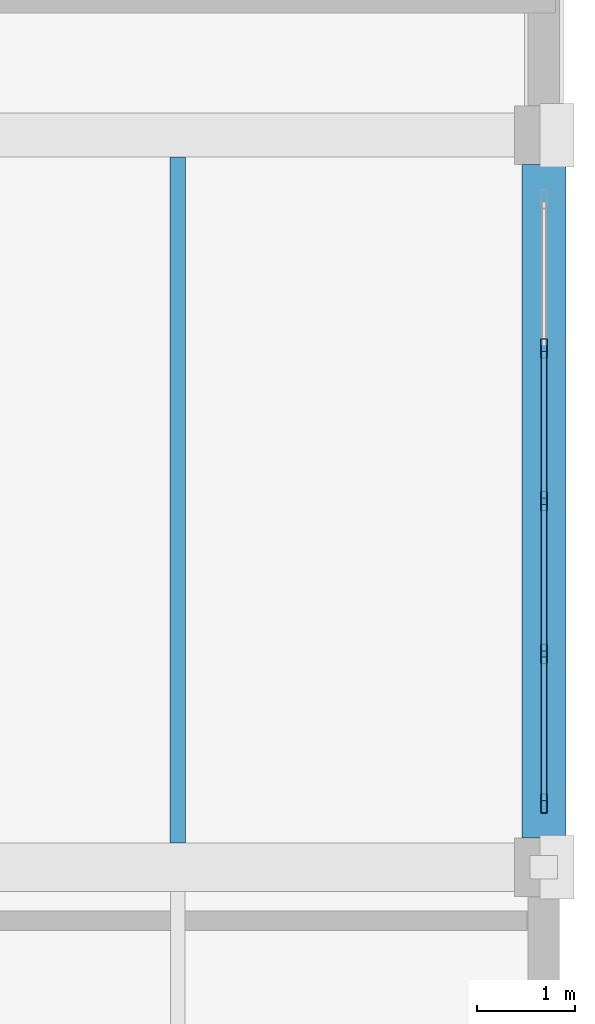
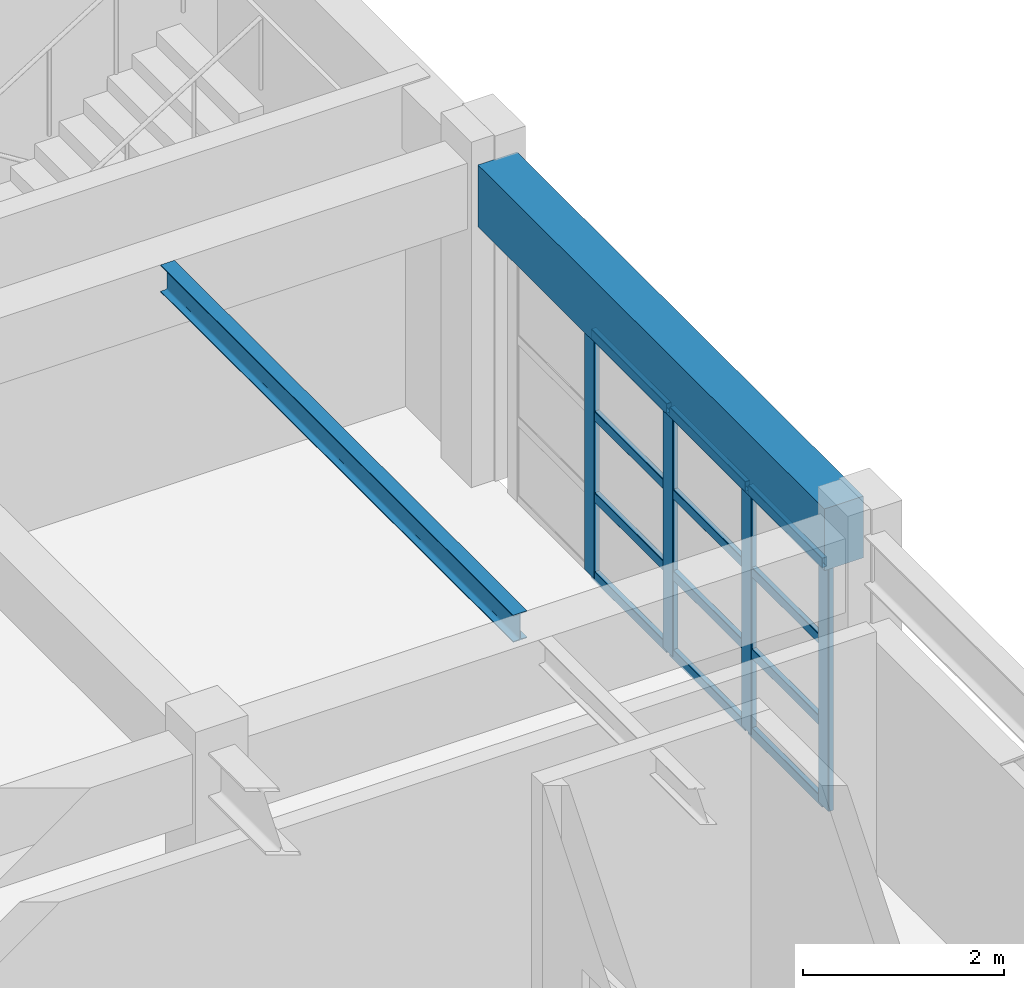
# One storey, part 71 of 124: 16 members, 2 beams, 1 element without a shape of its own.
"""IFC4 building model written with IfcOpenShell, lengths in metres."""

from ifc_helpers import new_model, si_unit, direction, frame, origin, origin_2d, place, context, subcontext, project, spatial, rectangle, hollow_rectangle, i_section, extrude, material, material_profile, profile_set, type_object, element, aggregate, save


model = new_model("IFC4")

# Units and contexts
model_context = context("Model", 3, precision=1e-05, world=origin(), true_north=direction((0.0, 1.0)))
body_context = subcontext(model_context, "Body", "Model", "MODEL_VIEW")
ifc_project = project(units=[si_unit("LENGTHUNIT", "METRE"), si_unit("AREAUNIT", "SQUARE_METRE"), si_unit("VOLUMEUNIT", "CUBIC_METRE"), si_unit("PLANEANGLEUNIT", "RADIAN"), si_unit("MASSUNIT", "GRAM", prefix="KILO")], contexts=[model_context])

# Site, building, storey
site_placement = place(None, origin())
site = spatial("IfcSite", under=ifc_project, at=site_placement, CompositionType="ELEMENT")
building_placement = place(site_placement, origin())
building = spatial("IfcBuilding", under=site, at=building_placement, Name="Qasida Concert Hall", CompositionType="ELEMENT")
storey_placement = place(building_placement, frame((0.0, 0.0, 9.0)))
storey = spatial("IfcBuildingStorey", under=building, at=storey_placement, Name="L02", CompositionType="ELEMENT", Elevation=9.0)

# Beams
ifc_material_1 = material(Name="Steel S355J2", Category="steel")
ifc_material_profile_1 = material_profile(ifc_material_1, i_section(OverallWidth=0.159912109375, OverallDepth=0.330078125, WebThickness=0.007568359375, FlangeThickness=0.011474609375, FilletRadius=0.01806640625, at=origin_2d()), Name="IPE 330")
ifc_profile_set_1 = profile_set([ifc_material_profile_1], Name="Steel S355J2")
beam_type_1 = type_object("IfcBeamType", Name="BM-J5", PredefinedType="JOIST", material=ifc_profile_set_1)
beam_1_placement = place(storey_placement, frame((161.25, 90.25, 3.735107421875), z_axis=(0.0, 1.0, 0.0), x_axis=(-1.0, 0.0, 0.0)))
element("IfcBeam", 1, at=beam_1_placement, inside=storey, type_object=beam_type_1, Name="L02 secondary joist 1436", PredefinedType="JOIST", context=body_context, shape_type="SweptSolid", body=[
    extrude(i_section(OverallWidth=0.159912109375, OverallDepth=0.330078125, WebThickness=0.007568359375, FlangeThickness=0.011474609375, FilletRadius=0.01806640625, at=origin_2d()), origin(), (0.0, 0.0, 1.0), 7.02490234375),
])
ifc_material_2 = material(Name="Concrete C40/50", Category="concrete")
ifc_material_profile_2 = material_profile(ifc_material_2, rectangle(XDim=0.449951171875, YDim=0.75, at=origin_2d()), Name="RC 450x750")
ifc_profile_set_2 = profile_set([ifc_material_profile_2], Name="Concrete C40/50")
beam_type_2 = type_object("IfcBeamType", Name="BM-SP4", PredefinedType="SPANDREL", material=ifc_profile_set_2)
beam_2_placement = place(storey_placement, frame((165.0, 90.300048828125, 3.52490234375), z_axis=(0.0, 1.0, 0.0), x_axis=(-1.0, 0.0, 0.0)))
element("IfcBeam", 2, at=beam_2_placement, inside=storey, type_object=beam_type_2, Name="L02 girder 1413", PredefinedType="SPANDREL", context=body_context, shape_type="SweptSolid", body=[
    extrude(rectangle(XDim=0.449951171875, YDim=0.75, at=origin_2d()), origin(), (0.0, 0.0, 1.0), 6.89990234375),
])

# Curtain wall, members
ifc_material_3 = material(Name="Architectural bronze-anodized aluminium and low-E glass", Category="aluminium")
curtain_wall_type = type_object("IfcCurtainWallType", Name="CW-11", PredefinedType="NOTDEFINED", material=ifc_material_3)
curtain_wall_placement = place(storey_placement, origin())
curtain_wall = element("IfcCurtainWall", 3, at=curtain_wall_placement, inside=storey, type_object=curtain_wall_type, Name="L02 curtain wall CW-11 0175", PredefinedType="NOTDEFINED")
ifc_material_4 = material(Name="Architectural bronze-anodized aluminium EN AW-6063", Category="aluminium")
ifc_material_profile_3 = material_profile(ifc_material_4, hollow_rectangle(XDim=0.06494140625, YDim=0.199951171875, WallThickness=0.0048828125, InnerFilletRadius=0.0048828125, OuterFilletRadius=0.010009765625, at=origin_2d()), Name="CWM 200x65x5")
ifc_profile_set_3 = profile_set([ifc_material_profile_3], Name="Architectural bronze-anodized aluminium EN AW-6063")
member_type_1 = type_object("IfcMemberType", Name="MB-CWM-2", PredefinedType="MULLION", material=ifc_profile_set_3)
member_1_placement = place(storey_placement, frame((165.0, 90.652587890625, 0.0), z_axis=(0.0, 0.0, 1.0), x_axis=(-1.0, 0.0, 0.0)))
member_1 = element("IfcMember", 4, at=member_1_placement, type_object=member_type_1, Name="CW-11 mullion 1", PredefinedType="MULLION", context=body_context, shape_type="SweptSolid", body=[
    extrude(hollow_rectangle(XDim=0.06494140625, YDim=0.199951171875, WallThickness=0.0048828125, InnerFilletRadius=0.0048828125, OuterFilletRadius=0.010009765625, at=origin_2d()), origin(), (0.0, 0.0, 1.0), 2.969970703125),
])
member_2_placement = place(storey_placement, frame((165.0, 92.18505859375, 0.0), z_axis=(0.0, 0.0, 1.0), x_axis=(-1.0, 0.0, 0.0)))
member_2 = element("IfcMember", 5, at=member_2_placement, type_object=member_type_1, Name="CW-11 mullion 2", PredefinedType="MULLION", context=body_context, shape_type="SweptSolid", body=[
    extrude(hollow_rectangle(XDim=0.06494140625, YDim=0.199951171875, WallThickness=0.0048828125, InnerFilletRadius=0.0048828125, OuterFilletRadius=0.010009765625, at=origin_2d()), origin(), (0.0, 0.0, 1.0), 2.969970703125),
])
member_3_placement = place(storey_placement, frame((165.0, 93.75, 0.0), z_axis=(0.0, 0.0, 1.0), x_axis=(-1.0, 0.0, 0.0)))
member_3 = element("IfcMember", 6, at=member_3_placement, type_object=member_type_1, Name="CW-11 mullion 3", PredefinedType="MULLION", context=body_context, shape_type="SweptSolid", body=[
    extrude(hollow_rectangle(XDim=0.06494140625, YDim=0.199951171875, WallThickness=0.0048828125, InnerFilletRadius=0.0048828125, OuterFilletRadius=0.010009765625, at=origin_2d()), origin(), (0.0, 0.0, 1.0), 2.969970703125),
])
member_4_placement = place(storey_placement, frame((165.0, 95.31494140625, 0.0), z_axis=(0.0, 0.0, 1.0), x_axis=(-1.0, 0.0, 0.0)))
member_4 = element("IfcMember", 7, at=member_4_placement, type_object=member_type_1, Name="CW-11 mullion 4", PredefinedType="MULLION", context=body_context, shape_type="SweptSolid", body=[
    extrude(hollow_rectangle(XDim=0.06494140625, YDim=0.199951171875, WallThickness=0.0048828125, InnerFilletRadius=0.0048828125, OuterFilletRadius=0.010009765625, at=origin_2d()), origin(), (0.0, 0.0, 1.0), 2.969970703125),
])
ifc_material_profile_4 = material_profile(ifc_material_4, hollow_rectangle(XDim=0.06005859375, YDim=0.1201171875, WallThickness=0.00390625, InnerFilletRadius=0.00390625, OuterFilletRadius=0.008056640625, at=origin_2d()), Name="CWT 120x60x4")
ifc_profile_set_4 = profile_set([ifc_material_profile_4], Name="Architectural bronze-anodized aluminium EN AW-6063")
member_type_2 = type_object("IfcMemberType", Name="MB-CWT-2", PredefinedType="USERDEFINED", material=ifc_profile_set_4)
member_5_placement = place(storey_placement, frame((165.0, 90.68505859375, 0.030029296875), z_axis=(0.0, 1.0, 0.0), x_axis=(-1.0, 0.0, 0.0)))
member_5 = element("IfcMember", 8, at=member_5_placement, type_object=member_type_2, Name="CW-11 transom 1.1", ObjectType="TRANSOM", PredefinedType="USERDEFINED", context=body_context, shape_type="SweptSolid", body=[
    extrude(hollow_rectangle(XDim=0.06005859375, YDim=0.1201171875, WallThickness=0.00390625, InnerFilletRadius=0.00390625, OuterFilletRadius=0.008056640625, at=origin_2d()), origin(), (0.0, 0.0, 1.0), 1.467529296875),
])
member_6_placement = place(storey_placement, frame((165.0, 90.68505859375, 0.989990234375), z_axis=(0.0, 1.0, 0.0), x_axis=(-1.0, 0.0, 0.0)))
member_6 = element("IfcMember", 9, at=member_6_placement, type_object=member_type_2, Name="CW-11 transom 1.2", ObjectType="TRANSOM", PredefinedType="USERDEFINED", context=body_context, shape_type="SweptSolid", body=[
    extrude(hollow_rectangle(XDim=0.06005859375, YDim=0.1201171875, WallThickness=0.00390625, InnerFilletRadius=0.00390625, OuterFilletRadius=0.008056640625, at=origin_2d()), origin(), (0.0, 0.0, 1.0), 1.467529296875),
])
member_7_placement = place(storey_placement, frame((165.0, 90.68505859375, 1.97998046875), z_axis=(0.0, 1.0, 0.0), x_axis=(-1.0, 0.0, 0.0)))
member_7 = element("IfcMember", 10, at=member_7_placement, type_object=member_type_2, Name="CW-11 transom 1.3", ObjectType="TRANSOM", PredefinedType="USERDEFINED", context=body_context, shape_type="SweptSolid", body=[
    extrude(hollow_rectangle(XDim=0.06005859375, YDim=0.1201171875, WallThickness=0.00390625, InnerFilletRadius=0.00390625, OuterFilletRadius=0.008056640625, at=origin_2d()), origin(), (0.0, 0.0, 1.0), 1.467529296875),
])
member_8_placement = place(storey_placement, frame((165.0, 90.68505859375, 2.93994140625), z_axis=(0.0, 1.0, 0.0), x_axis=(-1.0, 0.0, 0.0)))
member_8 = element("IfcMember", 11, at=member_8_placement, type_object=member_type_2, Name="CW-11 transom 1.4", ObjectType="TRANSOM", PredefinedType="USERDEFINED", context=body_context, shape_type="SweptSolid", body=[
    extrude(hollow_rectangle(XDim=0.06005859375, YDim=0.1201171875, WallThickness=0.00390625, InnerFilletRadius=0.00390625, OuterFilletRadius=0.008056640625, at=origin_2d()), origin(), (0.0, 0.0, 1.0), 1.467529296875),
])
member_9_placement = place(storey_placement, frame((165.0, 92.217529296875, 0.030029296875), z_axis=(0.0, 1.0, 0.0), x_axis=(-1.0, 0.0, 0.0)))
member_9 = element("IfcMember", 12, at=member_9_placement, type_object=member_type_2, Name="CW-11 transom 2.1", ObjectType="TRANSOM", PredefinedType="USERDEFINED", context=body_context, shape_type="SweptSolid", body=[
    extrude(hollow_rectangle(XDim=0.06005859375, YDim=0.1201171875, WallThickness=0.00390625, InnerFilletRadius=0.00390625, OuterFilletRadius=0.008056640625, at=origin_2d()), origin(), (0.0, 0.0, 1.0), 1.5),
])
member_10_placement = place(storey_placement, frame((165.0, 92.217529296875, 0.989990234375), z_axis=(0.0, 1.0, 0.0), x_axis=(-1.0, 0.0, 0.0)))
member_10 = element("IfcMember", 13, at=member_10_placement, type_object=member_type_2, Name="CW-11 transom 2.2", ObjectType="TRANSOM", PredefinedType="USERDEFINED", context=body_context, shape_type="SweptSolid", body=[
    extrude(hollow_rectangle(XDim=0.06005859375, YDim=0.1201171875, WallThickness=0.00390625, InnerFilletRadius=0.00390625, OuterFilletRadius=0.008056640625, at=origin_2d()), origin(), (0.0, 0.0, 1.0), 1.5),
])
member_11_placement = place(storey_placement, frame((165.0, 92.217529296875, 1.97998046875), z_axis=(0.0, 1.0, 0.0), x_axis=(-1.0, 0.0, 0.0)))
member_11 = element("IfcMember", 14, at=member_11_placement, type_object=member_type_2, Name="CW-11 transom 2.3", ObjectType="TRANSOM", PredefinedType="USERDEFINED", context=body_context, shape_type="SweptSolid", body=[
    extrude(hollow_rectangle(XDim=0.06005859375, YDim=0.1201171875, WallThickness=0.00390625, InnerFilletRadius=0.00390625, OuterFilletRadius=0.008056640625, at=origin_2d()), origin(), (0.0, 0.0, 1.0), 1.5),
])
member_12_placement = place(storey_placement, frame((165.0, 92.217529296875, 2.93994140625), z_axis=(0.0, 1.0, 0.0), x_axis=(-1.0, 0.0, 0.0)))
member_12 = element("IfcMember", 15, at=member_12_placement, type_object=member_type_2, Name="CW-11 transom 2.4", ObjectType="TRANSOM", PredefinedType="USERDEFINED", context=body_context, shape_type="SweptSolid", body=[
    extrude(hollow_rectangle(XDim=0.06005859375, YDim=0.1201171875, WallThickness=0.00390625, InnerFilletRadius=0.00390625, OuterFilletRadius=0.008056640625, at=origin_2d()), origin(), (0.0, 0.0, 1.0), 1.5),
])
member_13_placement = place(storey_placement, frame((165.0, 93.782470703125, 0.030029296875), z_axis=(0.0, 1.0, 0.0), x_axis=(-1.0, 0.0, 0.0)))
member_13 = element("IfcMember", 16, at=member_13_placement, type_object=member_type_2, Name="CW-11 transom 3.1", ObjectType="TRANSOM", PredefinedType="USERDEFINED", context=body_context, shape_type="SweptSolid", body=[
    extrude(hollow_rectangle(XDim=0.06005859375, YDim=0.1201171875, WallThickness=0.00390625, InnerFilletRadius=0.00390625, OuterFilletRadius=0.008056640625, at=origin_2d()), origin(), (0.0, 0.0, 1.0), 1.5),
])
member_14_placement = place(storey_placement, frame((165.0, 93.782470703125, 0.989990234375), z_axis=(0.0, 1.0, 0.0), x_axis=(-1.0, 0.0, 0.0)))
member_14 = element("IfcMember", 17, at=member_14_placement, type_object=member_type_2, Name="CW-11 transom 3.2", ObjectType="TRANSOM", PredefinedType="USERDEFINED", context=body_context, shape_type="SweptSolid", body=[
    extrude(hollow_rectangle(XDim=0.06005859375, YDim=0.1201171875, WallThickness=0.00390625, InnerFilletRadius=0.00390625, OuterFilletRadius=0.008056640625, at=origin_2d()), origin(), (0.0, 0.0, 1.0), 1.5),
])
member_15_placement = place(storey_placement, frame((165.0, 93.782470703125, 1.97998046875), z_axis=(0.0, 1.0, 0.0), x_axis=(-1.0, 0.0, 0.0)))
member_15 = element("IfcMember", 18, at=member_15_placement, type_object=member_type_2, Name="CW-11 transom 3.3", ObjectType="TRANSOM", PredefinedType="USERDEFINED", context=body_context, shape_type="SweptSolid", body=[
    extrude(hollow_rectangle(XDim=0.06005859375, YDim=0.1201171875, WallThickness=0.00390625, InnerFilletRadius=0.00390625, OuterFilletRadius=0.008056640625, at=origin_2d()), origin(), (0.0, 0.0, 1.0), 1.5),
])
member_16_placement = place(storey_placement, frame((165.0, 93.782470703125, 2.93994140625), z_axis=(0.0, 1.0, 0.0), x_axis=(-1.0, 0.0, 0.0)))
member_16 = element("IfcMember", 19, at=member_16_placement, type_object=member_type_2, Name="CW-11 transom 3.4", ObjectType="TRANSOM", PredefinedType="USERDEFINED", context=body_context, shape_type="SweptSolid", body=[
    extrude(hollow_rectangle(XDim=0.06005859375, YDim=0.1201171875, WallThickness=0.00390625, InnerFilletRadius=0.00390625, OuterFilletRadius=0.008056640625, at=origin_2d()), origin(), (0.0, 0.0, 1.0), 1.5),
])
aggregate(curtain_wall, [member_1, member_2, member_3, member_4, member_5, member_6, member_7, member_8, member_9, member_10, member_11, member_12, member_13, member_14, member_15, member_16])

save(model, "model.ifc")
